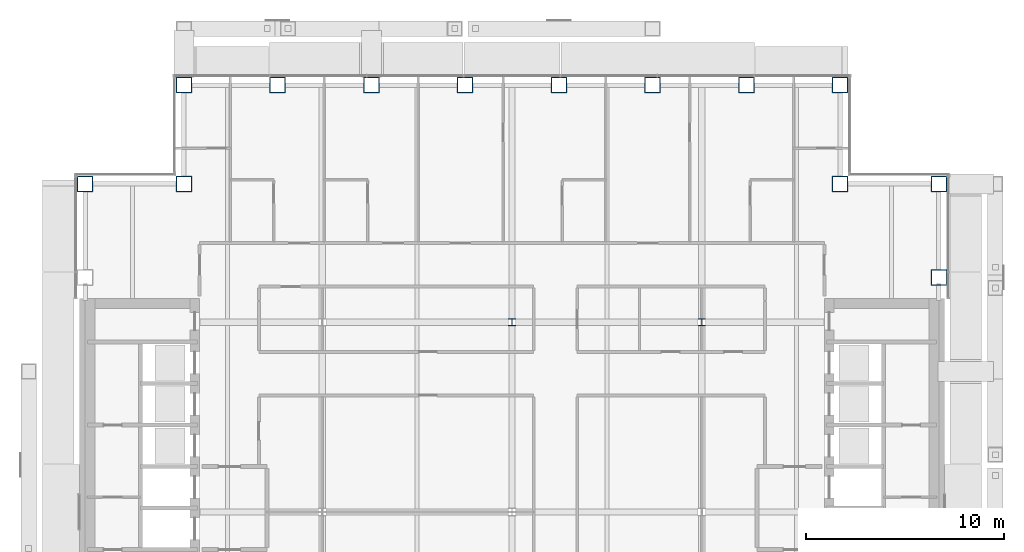
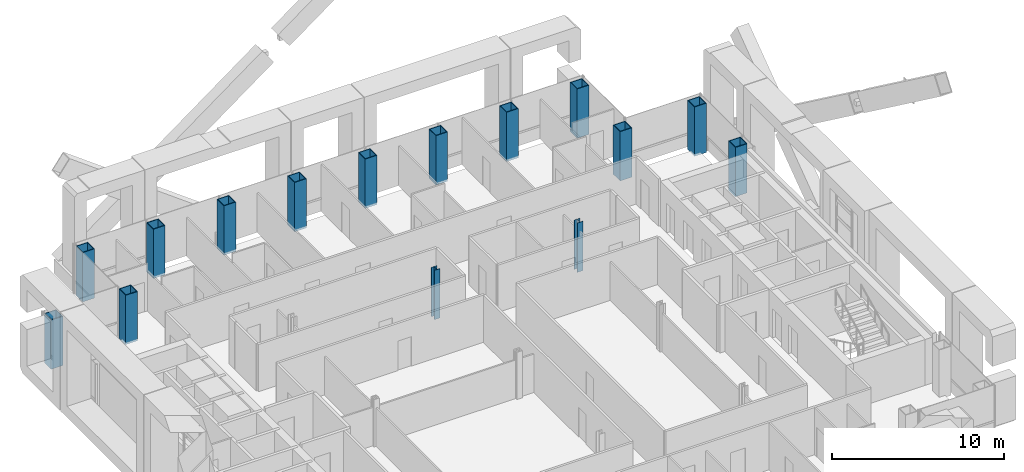
# One storey, part 2 of 22: 15 columns.
"""IFC4 building model written with IfcOpenShell, lengths in metres."""

from ifc_helpers import new_model, si_unit, direction, frame, origin, origin_2d, place, context, subcontext, project, spatial, hollow_rectangle, i_section, extrude, material, material_profile, profile_set, type_object, element, save


model = new_model("IFC4")

# Units and contexts
model_context = context("Model", 3, precision=1e-05, world=origin(), true_north=direction((0.0, 1.0)))
body_context = subcontext(model_context, "Body", "Model", "MODEL_VIEW")
ifc_project = project(units=[si_unit("LENGTHUNIT", "METRE"), si_unit("AREAUNIT", "SQUARE_METRE"), si_unit("VOLUMEUNIT", "CUBIC_METRE"), si_unit("PLANEANGLEUNIT", "RADIAN"), si_unit("MASSUNIT", "GRAM", prefix="KILO")], contexts=[model_context])

# Site, building, storey
site_placement = place(None, origin())
site = spatial("IfcSite", under=ifc_project, at=site_placement, CompositionType="ELEMENT")
building_placement = place(site_placement, origin())
building = spatial("IfcBuilding", under=site, at=building_placement, Name="Cobrizo Arcos Hotel Tower", CompositionType="ELEMENT")
storey_placement = place(building_placement, frame((0.0, 0.0, 169.0)))
storey = spatial("IfcBuildingStorey", under=building, at=storey_placement, Name="L43", CompositionType="ELEMENT", Elevation=169.0)

# Columns
ifc_material_1 = material(Name="Steel ASTM A572 Grade 50", Category="steel")
ifc_material_profile_1 = material_profile(ifc_material_1, hollow_rectangle(XDim=0.800048828125, YDim=0.800048828125, WallThickness=0.044921875, at=origin_2d()), Name="BOX 800X800X45")
ifc_profile_set_1 = profile_set([ifc_material_profile_1], Name="Steel ASTM A572 Grade 50")
column_type_1 = type_object("IfcColumnType", Name="BOX 800X800X45 column", PredefinedType="COLUMN", material=ifc_profile_set_1)
for number, where, z_axis, x_axis, name in (
    (1, (-16.60009765625, 21.60009765625, -0.14990234375), (0.0, 0.0, 1.0), (1.0, 0.0, 0.0), "Perimeter column C8, L43, no. 00"),
    (2, (-11.85693359375, 21.60009765625, -0.14990234375), (0.0, 0.0, 1.0), (1.0, 0.0, 0.0), "Perimeter column C8, L43, no. 02"),
    (3, (-7.114013671875, 21.60009765625, -0.14990234375), (0.0, 0.0, 1.0), (1.0, 0.0, 0.0), "Perimeter column C8, L43, no. 04"),
    (4, (-2.37109375, 21.60009765625, -0.14990234375), (0.0, 0.0, 1.0), (1.0, 0.0, 0.0), "Perimeter column C8, L43, no. 06"),
    (5, (2.37109375, 21.60009765625, -0.14990234375), (0.0, 0.0, 1.0), (1.0, 0.0, 0.0), "Perimeter column C8, L43, no. 08"),
    (6, (7.114013671875, 21.60009765625, -0.14990234375), (0.0, 0.0, 1.0), (1.0, 0.0, 0.0), "Perimeter column C8, L43, no. 10"),
    (7, (11.85693359375, 21.60009765625, -0.14990234375), (0.0, 0.0, 1.0), (1.0, 0.0, 0.0), "Perimeter column C8, L43, no. 12"),
    (8, (16.60009765625, 21.60009765625, -0.14990234375), (0.0, 0.0, 1.0), (1.0, 0.0, 0.0), "Perimeter column C8, L43, no. 14"),
    (9, (21.60009765625, 11.85693359375, -0.14990234375), (0.0, 0.0, 1.0), (1.0, 0.0, 0.0), "Perimeter column C8, L43, no. 20"),
    (10, (21.60009765625, 16.60009765625, -0.14990234375), (0.0, 0.0, 1.0), (1.0, 0.0, 0.0), "Perimeter column C8, L43, no. 22"),
    (11, (-21.60009765625, 16.60009765625, -0.14990234375), (0.0, 0.0, 1.0), (1.0, 0.0, 0.0), "Perimeter column C8, L43, no. 23"),
    (12, (-16.60009765625, 16.60009765625, -0.14990234375), (0.0, 0.0, 1.0), (1.0, 0.0, 0.0), "Perimeter column C8, L43, no. 25"),
    (13, (16.60009765625, 16.60009765625, -0.14990234375), (0.0, 0.0, 1.0), (1.0, 0.0, 0.0), "Perimeter column C8, L43, no. 27"),
):
    element("IfcColumn", number, at=place(storey_placement, frame(where, z_axis=z_axis, x_axis=x_axis)), inside=storey, type_object=column_type_1, Name=name, PredefinedType="COLUMN", context=body_context, shape_type="SweptSolid", body=[
        extrude(hollow_rectangle(XDim=0.800048828125, YDim=0.800048828125, WallThickness=0.044921875, at=origin_2d()), origin(), (0.0, 0.0, 1.0), 3.5),
    ])
ifc_material_2 = material(Name="Steel ASTM A992 Grade 50", Category="steel")
ifc_material_profile_2 = material_profile(ifc_material_2, i_section(OverallWidth=0.373291015625, OverallDepth=0.373291015625, WebThickness=0.016357421875, FlangeThickness=0.026123046875, at=origin_2d()), Name="W14X132")
ifc_profile_set_2 = profile_set([ifc_material_profile_2], Name="Steel ASTM A992 Grade 50")
column_type_2 = type_object("IfcColumnType", Name="W14X132 interior column", PredefinedType="COLUMN", material=ifc_profile_set_2)
for number, where, z_axis, x_axis, name in (
    (14, (0.0, 9.60009765625, -0.14990234375), (0.0, 0.0, 1.0), (1.0, 0.0, 0.0), "Interior column C9, L43, no. 05"),
    (15, (9.60009765625, 9.60009765625, -0.14990234375), (0.0, 0.0, 1.0), (1.0, 0.0, 0.0), "Interior column C9, L43, no. 08"),
):
    element("IfcColumn", number, at=place(storey_placement, frame(where, z_axis=z_axis, x_axis=x_axis)), inside=storey, type_object=column_type_2, Name=name, PredefinedType="COLUMN", context=body_context, shape_type="SweptSolid", body=[
        extrude(i_section(OverallWidth=0.373291015625, OverallDepth=0.373291015625, WebThickness=0.016357421875, FlangeThickness=0.026123046875, at=origin_2d()), origin(), (0.0, 0.0, 1.0), 3.5),
    ])

save(model, "model.ifc")
